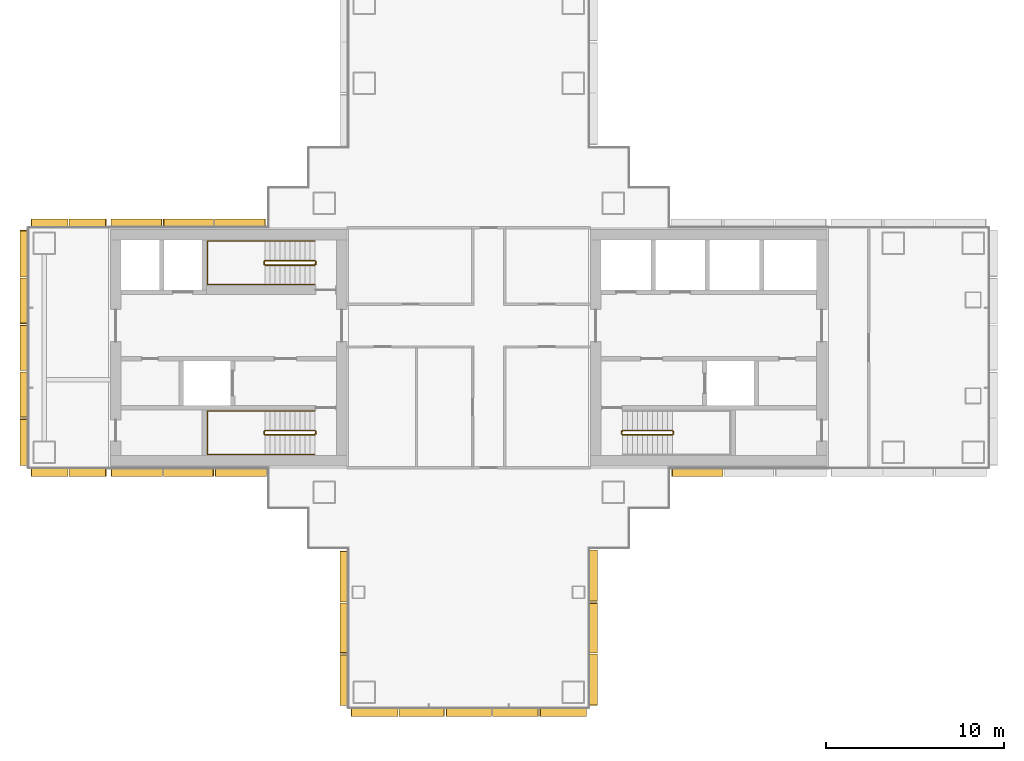
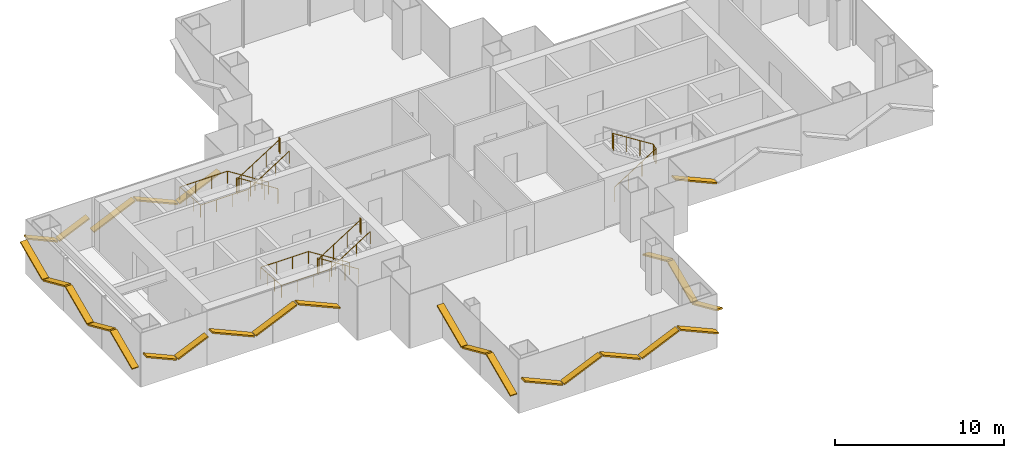
# One storey, part 16 of 18: 27 shading devices, 5 railings.
"""IFC4 building model written with IfcOpenShell, lengths in metres."""

from ifc_helpers import new_model, si_unit, direction, frame, origin, origin_2d, place, context, subcontext, project, spatial, rectangle, circle, extrude, material, material_profile, profile_set, type_object, element, save


model = new_model("IFC4")

# Units and contexts
model_context = context("Model", 3, precision=1e-05, world=origin(), true_north=direction((0.0, 1.0)))
body_context = subcontext(model_context, "Body", "Model", "MODEL_VIEW")
ifc_project = project(units=[si_unit("LENGTHUNIT", "METRE"), si_unit("AREAUNIT", "SQUARE_METRE"), si_unit("VOLUMEUNIT", "CUBIC_METRE"), si_unit("PLANEANGLEUNIT", "RADIAN"), si_unit("MASSUNIT", "GRAM", prefix="KILO")], contexts=[model_context])

# Site, building, storey
site_placement = place(None, origin())
site = spatial("IfcSite", under=ifc_project, at=site_placement, CompositionType="ELEMENT")
building_placement = place(site_placement, origin())
building = spatial("IfcBuilding", under=site, at=building_placement, Name="Shamsa Quay Exchange Towers", CompositionType="ELEMENT")
storey_placement = place(building_placement, frame((0.0, 0.0, 113.10009765625)))
storey = spatial("IfcBuildingStorey", under=building, at=storey_placement, Name="L26", CompositionType="ELEMENT", Elevation=113.10009765625)

# Shading devices
ifc_material_1 = material(Name="Aluminium EN AW-6063 T6, black anodised", Category="aluminium")
ifc_material_profile = material_profile(ifc_material_1, rectangle(XDim=0.449951171875, YDim=0.10009765625, at=origin_2d()), Name="FIN450x100")
ifc_profile_set = profile_set([ifc_material_profile], Name="Aluminium EN AW-6063 T6, black anodised")
shading_device_type = type_object("IfcShadingDeviceType", Name="FIN 450x100 BLACK ALUMINIUM", PredefinedType="USERDEFINED", material=ifc_profile_set)
shading_device_1_placement = place(storey_placement, frame((-40.764892578125, -11.43798828125, 2.2314453125), z_axis=(0.0, -0.913558535862, -0.406707267643), x_axis=(1.0, 0.0, 0.0)))
element("IfcShadingDevice", 1, at=shading_device_1_placement, inside=storey, type_object=shading_device_type, Name="FIN T1 chevron rib", ObjectType="FIN", PredefinedType="USERDEFINED", context=body_context, shape_type="SweptSolid", body=[
    extrude(rectangle(XDim=0.449951171875, YDim=0.10009765625, at=origin_2d()), origin(), (0.0, 0.0, 1.0), 3.10595703125),
])
shading_device_2_placement = place(storey_placement, frame((-40.764892578125, -14.375244140625, 0.9794921875), z_axis=(0.0, -0.913550687431, 0.406724896576), x_axis=(1.0, 0.0, 0.0)))
element("IfcShadingDevice", 2, at=shading_device_2_placement, inside=storey, type_object=shading_device_type, Name="FIN T1 chevron rib", ObjectType="FIN", PredefinedType="USERDEFINED", context=body_context, shape_type="SweptSolid", body=[
    extrude(rectangle(XDim=0.449951171875, YDim=0.10009765625, at=origin_2d()), origin(), (0.0, 0.0, 1.0), 3.051025390625),
])
shading_device_3_placement = place(storey_placement, frame((-40.764892578125, -17.2626953125, 2.2314453125), z_axis=(0.0, -0.913558535862, -0.406707267643), x_axis=(1.0, 0.0, 0.0)))
element("IfcShadingDevice", 3, at=shading_device_3_placement, inside=storey, type_object=shading_device_type, Name="FIN T1 chevron rib", ObjectType="FIN", PredefinedType="USERDEFINED", context=body_context, shape_type="SweptSolid", body=[
    extrude(rectangle(XDim=0.449951171875, YDim=0.10009765625, at=origin_2d()), origin(), (0.0, 0.0, 1.0), 3.10595703125),
])
shading_device_4_placement = place(storey_placement, frame((-40.35009765625, -20.514892578125, 2.176513671875), z_axis=(0.91355925163, 0.0, -0.406705659859), x_axis=(0.0, 1.0, 0.0)))
element("IfcShadingDevice", 4, at=shading_device_4_placement, inside=storey, type_object=shading_device_type, Name="FIN T1 chevron rib", ObjectType="FIN", PredefinedType="USERDEFINED", context=body_context, shape_type="SweptSolid", body=[
    extrude(rectangle(XDim=0.449951171875, YDim=0.10009765625, at=origin_2d()), origin(), (0.0, 0.0, 1.0), 2.835205078125),
])
shading_device_5_placement = place(storey_placement, frame((-37.659912109375, -20.514892578125, 1.034423828125), z_axis=(0.913536125794, 0.0, 0.406757602103), x_axis=(0.0, 1.0, 0.0)))
element("IfcShadingDevice", 5, at=shading_device_5_placement, inside=storey, type_object=shading_device_type, Name="FIN T1 chevron rib", ObjectType="FIN", PredefinedType="USERDEFINED", context=body_context, shape_type="SweptSolid", body=[
    extrude(rectangle(XDim=0.449951171875, YDim=0.10009765625, at=origin_2d()), origin(), (0.0, 0.0, 1.0), 2.7802734375),
])
shading_device_6_placement = place(storey_placement, frame((-35.02001953125, -20.514892578125, 2.165283203125), z_axis=(0.913550653139, 0.0, -0.4067249736), x_axis=(0.0, 1.0, 0.0)))
element("IfcShadingDevice", 6, at=shading_device_6_placement, inside=storey, type_object=shading_device_type, Name="FIN T1 chevron rib", ObjectType="FIN", PredefinedType="USERDEFINED", context=body_context, shape_type="SweptSolid", body=[
    extrude(rectangle(XDim=0.449951171875, YDim=0.10009765625, at=origin_2d()), origin(), (0.0, 0.0, 1.0), 2.780517578125),
])
shading_device_7_placement = place(storey_placement, frame((-32.3798828125, -20.514892578125, 1.034423828125), z_axis=(0.913536125794, 0.0, 0.406757602103), x_axis=(0.0, 1.0, 0.0)))
element("IfcShadingDevice", 7, at=shading_device_7_placement, inside=storey, type_object=shading_device_type, Name="FIN T1 chevron rib", ObjectType="FIN", PredefinedType="USERDEFINED", context=body_context, shape_type="SweptSolid", body=[
    extrude(rectangle(XDim=0.449951171875, YDim=0.10009765625, at=origin_2d()), origin(), (0.0, 0.0, 1.0), 2.7802734375),
])
shading_device_8_placement = place(storey_placement, frame((-29.739990234375, -20.514892578125, 2.176513671875), z_axis=(0.91355925163, 0.0, -0.406705659859), x_axis=(0.0, 1.0, 0.0)))
element("IfcShadingDevice", 8, at=shading_device_8_placement, inside=storey, type_object=shading_device_type, Name="FIN T1 chevron rib", ObjectType="FIN", PredefinedType="USERDEFINED", context=body_context, shape_type="SweptSolid", body=[
    extrude(rectangle(XDim=0.449951171875, YDim=0.10009765625, at=origin_2d()), origin(), (0.0, 0.0, 1.0), 2.835205078125),
])
shading_device_9_placement = place(storey_placement, frame((-26.735107421875, -20.10009765625, 2.234375), z_axis=(0.0, 0.913533816972, -0.406762787444), x_axis=(-1.0, 0.0, 0.0)))
element("IfcShadingDevice", 9, at=shading_device_9_placement, inside=storey, type_object=shading_device_type, Name="FIN T1 chevron rib", ObjectType="FIN", PredefinedType="USERDEFINED", context=body_context, shape_type="SweptSolid", body=[
    extrude(rectangle(XDim=0.449951171875, YDim=0.10009765625, at=origin_2d()), origin(), (0.0, 0.0, 1.0), 3.119873046875),
])
shading_device_10_placement = place(storey_placement, frame((-26.735107421875, -17.14990234375, 0.9765625), z_axis=(0.0, 0.913541981537, 0.406744450447), x_axis=(-1.0, 0.0, 0.0)))
element("IfcShadingDevice", 10, at=shading_device_10_placement, inside=storey, type_object=shading_device_type, Name="FIN T1 chevron rib", ObjectType="FIN", PredefinedType="USERDEFINED", context=body_context, shape_type="SweptSolid", body=[
    extrude(rectangle(XDim=0.449951171875, YDim=0.10009765625, at=origin_2d()), origin(), (0.0, 0.0, 1.0), 3.064697265625),
])
shading_device_11_placement = place(storey_placement, frame((-26.735107421875, -14.25, 2.234375), z_axis=(0.0, 0.913533816972, -0.406762787444), x_axis=(-1.0, 0.0, 0.0)))
element("IfcShadingDevice", 11, at=shading_device_11_placement, inside=storey, type_object=shading_device_type, Name="FIN T1 chevron rib", ObjectType="FIN", PredefinedType="USERDEFINED", context=body_context, shape_type="SweptSolid", body=[
    extrude(rectangle(XDim=0.449951171875, YDim=0.10009765625, at=origin_2d()), origin(), (0.0, 0.0, 1.0), 3.119873046875),
])
for number, where, z_axis, x_axis, name in (
    (12, (-22.31201171875, -7.01904296875, 2.2314453125), (0.913558535862, 0.0, -0.406707267643), (0.0, 1.0, 0.0), "FIN T1 chevron rib"),
    (13, (-45.18798828125, 7.01904296875, 2.2314453125), (-0.913558535862, 0.0, -0.406707267643), (0.0, -1.0, 0.0), "FIN T1 chevron rib"),
):
    element("IfcShadingDevice", number, at=place(storey_placement, frame(where, z_axis=z_axis, x_axis=x_axis)), inside=storey, type_object=shading_device_type, Name=name, ObjectType="FIN", PredefinedType="USERDEFINED", context=body_context, shape_type="SweptSolid", body=[
        extrude(rectangle(XDim=0.449951171875, YDim=0.10009765625, at=origin_2d()), origin(), (0.0, 0.0, 1.0), 3.10595703125),
    ])
shading_device_12_placement = place(storey_placement, frame((-48.125244140625, 7.01904296875, 0.9794921875), z_axis=(-0.913550687431, 0.0, 0.406724896576), x_axis=(0.0, -1.0, 0.0)))
element("IfcShadingDevice", 14, at=shading_device_12_placement, inside=storey, type_object=shading_device_type, Name="FIN T1 chevron rib", ObjectType="FIN", PredefinedType="USERDEFINED", context=body_context, shape_type="SweptSolid", body=[
    extrude(rectangle(XDim=0.449951171875, YDim=0.10009765625, at=origin_2d()), origin(), (0.0, 0.0, 1.0), 3.051025390625),
])
shading_device_13_placement = place(storey_placement, frame((-51.0126953125, 7.01904296875, 2.2314453125), z_axis=(-0.913558535862, 0.0, -0.406707267643), x_axis=(0.0, -1.0, 0.0)))
element("IfcShadingDevice", 15, at=shading_device_13_placement, inside=storey, type_object=shading_device_type, Name="FIN T1 chevron rib", ObjectType="FIN", PredefinedType="USERDEFINED", context=body_context, shape_type="SweptSolid", body=[
    extrude(rectangle(XDim=0.449951171875, YDim=0.10009765625, at=origin_2d()), origin(), (0.0, 0.0, 1.0), 3.10595703125),
])
for number, where, z_axis, x_axis, name in (
    (16, (-54.14990234375, 7.014892578125, 2.05615234375), (-0.913569116241, 0.0, -0.406683500835), (0.0, -1.0, 0.0), "FIN T1 chevron rib"),
    (17, (-56.300048828125, 7.014892578125, 1.1435546875), (-0.913569116241, 0.0, 0.406683500835), (0.0, -1.0, 0.0), "FIN T1 chevron rib"),
):
    element("IfcShadingDevice", number, at=place(storey_placement, frame(where, z_axis=z_axis, x_axis=x_axis)), inside=storey, type_object=shading_device_type, Name=name, ObjectType="FIN", PredefinedType="USERDEFINED", context=body_context, shape_type="SweptSolid", body=[
        extrude(rectangle(XDim=0.449951171875, YDim=0.10009765625, at=origin_2d()), origin(), (0.0, 0.0, 1.0), 2.243896484375),
    ])
shading_device_14_placement = place(storey_placement, frame((-58.764892578125, 6.60009765625, 2.176513671875), z_axis=(0.0, -0.91355925163, -0.406705659859), x_axis=(1.0, 0.0, 0.0)))
element("IfcShadingDevice", 18, at=shading_device_14_placement, inside=storey, type_object=shading_device_type, Name="FIN T1 chevron rib", ObjectType="FIN", PredefinedType="USERDEFINED", context=body_context, shape_type="SweptSolid", body=[
    extrude(rectangle(XDim=0.449951171875, YDim=0.10009765625, at=origin_2d()), origin(), (0.0, 0.0, 1.0), 2.835205078125),
])
shading_device_15_placement = place(storey_placement, frame((-58.764892578125, 3.909912109375, 1.034423828125), z_axis=(0.0, -0.913536125794, 0.406757602103), x_axis=(1.0, 0.0, 0.0)))
element("IfcShadingDevice", 19, at=shading_device_15_placement, inside=storey, type_object=shading_device_type, Name="FIN T1 chevron rib", ObjectType="FIN", PredefinedType="USERDEFINED", context=body_context, shape_type="SweptSolid", body=[
    extrude(rectangle(XDim=0.449951171875, YDim=0.10009765625, at=origin_2d()), origin(), (0.0, 0.0, 1.0), 2.7802734375),
])
shading_device_16_placement = place(storey_placement, frame((-58.764892578125, 1.27001953125, 2.165283203125), z_axis=(0.0, -0.913550653139, -0.4067249736), x_axis=(1.0, 0.0, 0.0)))
element("IfcShadingDevice", 20, at=shading_device_16_placement, inside=storey, type_object=shading_device_type, Name="FIN T1 chevron rib", ObjectType="FIN", PredefinedType="USERDEFINED", context=body_context, shape_type="SweptSolid", body=[
    extrude(rectangle(XDim=0.449951171875, YDim=0.10009765625, at=origin_2d()), origin(), (0.0, 0.0, 1.0), 2.780517578125),
])
shading_device_17_placement = place(storey_placement, frame((-58.764892578125, -1.3701171875, 1.034423828125), z_axis=(0.0, -0.913536125794, 0.406757602103), x_axis=(1.0, 0.0, 0.0)))
element("IfcShadingDevice", 21, at=shading_device_17_placement, inside=storey, type_object=shading_device_type, Name="FIN T1 chevron rib", ObjectType="FIN", PredefinedType="USERDEFINED", context=body_context, shape_type="SweptSolid", body=[
    extrude(rectangle(XDim=0.449951171875, YDim=0.10009765625, at=origin_2d()), origin(), (0.0, 0.0, 1.0), 2.7802734375),
])
shading_device_18_placement = place(storey_placement, frame((-58.764892578125, -4.010009765625, 2.176513671875), z_axis=(0.0, -0.91355925163, -0.406705659859), x_axis=(1.0, 0.0, 0.0)))
element("IfcShadingDevice", 22, at=shading_device_18_placement, inside=storey, type_object=shading_device_type, Name="FIN T1 chevron rib", ObjectType="FIN", PredefinedType="USERDEFINED", context=body_context, shape_type="SweptSolid", body=[
    extrude(rectangle(XDim=0.449951171875, YDim=0.10009765625, at=origin_2d()), origin(), (0.0, 0.0, 1.0), 2.835205078125),
])
for number, where, z_axis, x_axis, name in (
    (23, (-58.35009765625, -7.014892578125, 2.05615234375), (0.913569116241, 0.0, -0.406683500835), (0.0, 1.0, 0.0), "FIN T1 chevron rib"),
    (24, (-56.199951171875, -7.014892578125, 1.1435546875), (0.913569116241, 0.0, 0.406683500835), (0.0, 1.0, 0.0), "FIN T1 chevron rib"),
):
    element("IfcShadingDevice", number, at=place(storey_placement, frame(where, z_axis=z_axis, x_axis=x_axis)), inside=storey, type_object=shading_device_type, Name=name, ObjectType="FIN", PredefinedType="USERDEFINED", context=body_context, shape_type="SweptSolid", body=[
        extrude(rectangle(XDim=0.449951171875, YDim=0.10009765625, at=origin_2d()), origin(), (0.0, 0.0, 1.0), 2.243896484375),
    ])
shading_device_19_placement = place(storey_placement, frame((-53.85009765625, -7.01904296875, 2.234375), z_axis=(0.913533816972, 0.0, -0.406762787444), x_axis=(0.0, 1.0, 0.0)))
element("IfcShadingDevice", 25, at=shading_device_19_placement, inside=storey, type_object=shading_device_type, Name="FIN T1 chevron rib", ObjectType="FIN", PredefinedType="USERDEFINED", context=body_context, shape_type="SweptSolid", body=[
    extrude(rectangle(XDim=0.449951171875, YDim=0.10009765625, at=origin_2d()), origin(), (0.0, 0.0, 1.0), 3.119873046875),
])
shading_device_20_placement = place(storey_placement, frame((-50.89990234375, -7.01904296875, 0.9765625), z_axis=(0.913541981537, 0.0, 0.406744450447), x_axis=(0.0, 1.0, 0.0)))
element("IfcShadingDevice", 26, at=shading_device_20_placement, inside=storey, type_object=shading_device_type, Name="FIN T1 chevron rib", ObjectType="FIN", PredefinedType="USERDEFINED", context=body_context, shape_type="SweptSolid", body=[
    extrude(rectangle(XDim=0.449951171875, YDim=0.10009765625, at=origin_2d()), origin(), (0.0, 0.0, 1.0), 3.064697265625),
])
shading_device_21_placement = place(storey_placement, frame((-48.0, -7.01904296875, 2.234375), z_axis=(0.913533816972, 0.0, -0.406762787444), x_axis=(0.0, 1.0, 0.0)))
element("IfcShadingDevice", 27, at=shading_device_21_placement, inside=storey, type_object=shading_device_type, Name="FIN T1 chevron rib", ObjectType="FIN", PredefinedType="USERDEFINED", context=body_context, shape_type="SweptSolid", body=[
    extrude(rectangle(XDim=0.449951171875, YDim=0.10009765625, at=origin_2d()), origin(), (0.0, 0.0, 1.0), 3.119873046875),
])

# Railings
ifc_material_2 = material(Name="Stainless steel", Category="steel")
railing_type_1 = type_object("IfcRailingType", Name="STAIR GUARD 1100", PredefinedType="GUARDRAIL", material=ifc_material_2)
railing_1_placement = place(storey_placement, frame((-25.10009765625, -4.89990234375, 0.17724609375)))
element("IfcRailing", 28, at=railing_1_placement, inside=storey, type_object=railing_type_1, Name="L26 ST1 stair guard 1", PredefinedType="GUARDRAIL", context=body_context, shape_type="SweptSolid", body=[
    extrude(circle(Radius=0.02392578125, at=origin_2d()), frame((0.0, 0.0, 1.076171875), z_axis=(0.844908973607, 0.0, 0.534910110503), x_axis=(0.0, 1.0, 0.0)), (0.0, 0.0, 1.0), 3.31396484375),
    extrude(circle(Radius=0.02392578125, at=origin_2d()), frame((2.800048828125, 0.0, 2.8486328125), z_axis=(0.708833529934, 0.705375805398, 0.0), x_axis=(-0.705375805398, 0.708833529934, 0.0)), (0.0, 0.0, 1.0), 0.070556640625),
    extrude(circle(Radius=0.02392578125, at=origin_2d()), frame((2.85009765625, 0.0498046875, 2.8486328125), z_axis=(0.0, 1.0, 0.0), x_axis=(-1.0, 0.0, 0.0)), (0.0, 0.0, 1.0), 0.150146484375),
    extrude(circle(Radius=0.02392578125, at=origin_2d()), frame((2.85009765625, 0.199951171875, 2.8486328125), z_axis=(-0.262233686654, 0.262233686654, 0.928691007369), x_axis=(-0.707106781187, -0.707106781187, 0.0)), (0.0, 0.0, 1.0), 0.19091796875),
    extrude(circle(Radius=0.02392578125, at=origin_2d()), frame((2.800048828125, 0.25, 3.02587890625), z_axis=(-0.844908973607, 0.0, 0.534910110503), x_axis=(0.0, -1.0, 0.0)), (0.0, 0.0, 1.0), 3.31396484375),
    extrude(circle(Radius=0.02392578125, at=origin_2d()), frame((0.0, 0.25, 4.798828125), z_axis=(-0.24142163986, -0.970420317083, 0.0), x_axis=(0.970420317083, -0.24142163986, 0.0)), (0.0, 0.0, 1.0), 0.206298828125),
    extrude(circle(Radius=0.02392578125, at=origin_2d()), frame((-0.0498046875, 0.0498046875, 4.798828125), z_axis=(0.0, 1.0, 0.0), x_axis=(-1.0, 0.0, 0.0)), (0.0, 0.0, 1.0), 0.150146484375),
    extrude(circle(Radius=0.02099609375, at=origin_2d()), origin(), (0.0, 0.0, 1.0), 1.052001953125),
    extrude(circle(Radius=0.02099609375, at=origin_2d()), frame((0.933349609375, 0.0, 0.5908203125)), (0.0, 0.0, 1.0), 1.052001953125),
    extrude(circle(Radius=0.02099609375, at=origin_2d()), frame((1.86669921875, 0.0, 1.181884765625)), (0.0, 0.0, 1.0), 1.052001953125),
    extrude(circle(Radius=0.02099609375, at=origin_2d()), frame((2.800048828125, 0.0, 1.772705078125)), (0.0, 0.0, 1.0), 1.052001953125),
    extrude(circle(Radius=0.02099609375, at=origin_2d()), frame((2.85009765625, 0.0498046875, 1.772705078125)), (0.0, 0.0, 1.0), 1.052001953125),
    extrude(circle(Radius=0.02099609375, at=origin_2d()), frame((2.85009765625, 0.199951171875, 1.772705078125)), (0.0, 0.0, 1.0), 1.052001953125),
    extrude(circle(Radius=0.02099609375, at=origin_2d()), frame((2.800048828125, 0.25, 1.949951171875)), (0.0, 0.0, 1.0), 1.052001953125),
    extrude(circle(Radius=0.02099609375, at=origin_2d()), frame((1.86669921875, 0.25, 2.540771484375)), (0.0, 0.0, 1.0), 1.052001953125),
    extrude(circle(Radius=0.02099609375, at=origin_2d()), frame((0.933349609375, 0.25, 3.1318359375)), (0.0, 0.0, 1.0), 1.052001953125),
    extrude(circle(Radius=0.02099609375, at=origin_2d()), frame((0.0, 0.25, 3.72265625)), (0.0, 0.0, 1.0), 1.052001953125),
    extrude(circle(Radius=0.02099609375, at=origin_2d()), frame((-0.0498046875, 0.0498046875, 3.72265625)), (0.0, 0.0, 1.0), 1.052001953125),
    extrude(circle(Radius=0.02099609375, at=origin_2d()), frame((-0.0498046875, 0.199951171875, 3.72265625)), (0.0, 0.0, 1.0), 1.052001953125),
])
railing_2_placement = place(storey_placement, frame((-42.39990234375, -4.64990234375, 0.17724609375)))
element("IfcRailing", 29, at=railing_2_placement, inside=storey, type_object=railing_type_1, Name="L26 ST2 stair guard 1", PredefinedType="GUARDRAIL", context=body_context, shape_type="SweptSolid", body=[
    extrude(circle(Radius=0.02392578125, at=origin_2d()), frame((0.0, 0.0, 1.076171875), z_axis=(-0.844908973607, 0.0, 0.534910110503), x_axis=(0.0, -1.0, 0.0)), (0.0, 0.0, 1.0), 3.31396484375),
    extrude(circle(Radius=0.02392578125, at=origin_2d()), frame((-2.800048828125, 0.0, 2.8486328125), z_axis=(-0.707106781187, -0.707106781187, 0.0), x_axis=(0.707106781187, -0.707106781187, 0.0)), (0.0, 0.0, 1.0), 0.07080078125),
    extrude(circle(Radius=0.02392578125, at=origin_2d()), frame((-2.85009765625, -0.050048828125, 2.8486328125), z_axis=(0.0, -1.0, 0.0), x_axis=(1.0, 0.0, 0.0)), (0.0, 0.0, 1.0), 0.150146484375),
    extrude(circle(Radius=0.02392578125, at=origin_2d()), frame((-2.85009765625, -0.2001953125, 2.8486328125), z_axis=(0.262321481514, -0.261041864531, 0.929001929653), x_axis=(0.705375805398, 0.708833529934, 0.0)), (0.0, 0.0, 1.0), 0.190673828125),
    extrude(circle(Radius=0.02392578125, at=origin_2d()), frame((-2.800048828125, -0.25, 3.02587890625), z_axis=(0.844908973607, 0.0, 0.534910110503), x_axis=(0.0, 1.0, 0.0)), (0.0, 0.0, 1.0), 3.31396484375),
    extrude(circle(Radius=0.02392578125, at=origin_2d()), frame((0.0, -0.25, 4.798828125), z_axis=(0.241699205484, 0.970351222016, 0.0), x_axis=(-0.970351222016, 0.241699205484, 0.0)), (0.0, 0.0, 1.0), 0.2060546875),
    extrude(circle(Radius=0.02392578125, at=origin_2d()), frame((0.0498046875, -0.050048828125, 4.798828125), z_axis=(0.0, -1.0, 0.0), x_axis=(1.0, 0.0, 0.0)), (0.0, 0.0, 1.0), 0.150146484375),
    extrude(circle(Radius=0.02099609375, at=origin_2d()), origin(), (0.0, 0.0, 1.0), 1.052001953125),
    extrude(circle(Radius=0.02099609375, at=origin_2d()), frame((-0.933349609375, 0.0, 0.5908203125)), (0.0, 0.0, 1.0), 1.052001953125),
    extrude(circle(Radius=0.02099609375, at=origin_2d()), frame((-1.86669921875, 0.0, 1.181884765625)), (0.0, 0.0, 1.0), 1.052001953125),
    extrude(circle(Radius=0.02099609375, at=origin_2d()), frame((-2.800048828125, 0.0, 1.772705078125)), (0.0, 0.0, 1.0), 1.052001953125),
    extrude(circle(Radius=0.02099609375, at=origin_2d()), frame((-2.85009765625, -0.050048828125, 1.772705078125)), (0.0, 0.0, 1.0), 1.052001953125),
    extrude(circle(Radius=0.02099609375, at=origin_2d()), frame((-2.85009765625, -0.2001953125, 1.772705078125)), (0.0, 0.0, 1.0), 1.052001953125),
    extrude(circle(Radius=0.02099609375, at=origin_2d()), frame((-2.800048828125, -0.25, 1.949951171875)), (0.0, 0.0, 1.0), 1.052001953125),
    extrude(circle(Radius=0.02099609375, at=origin_2d()), frame((-1.86669921875, -0.25, 2.540771484375)), (0.0, 0.0, 1.0), 1.052001953125),
    extrude(circle(Radius=0.02099609375, at=origin_2d()), frame((-0.933349609375, -0.25, 3.1318359375)), (0.0, 0.0, 1.0), 1.052001953125),
    extrude(circle(Radius=0.02099609375, at=origin_2d()), frame((0.0, -0.25, 3.72265625)), (0.0, 0.0, 1.0), 1.052001953125),
    extrude(circle(Radius=0.02099609375, at=origin_2d()), frame((0.0498046875, -0.050048828125, 3.72265625)), (0.0, 0.0, 1.0), 1.052001953125),
    extrude(circle(Radius=0.02099609375, at=origin_2d()), frame((0.0498046875, -0.2001953125, 3.72265625)), (0.0, 0.0, 1.0), 1.052001953125),
])
railing_3_placement = place(storey_placement, frame((-42.39990234375, 4.89990234375, 0.17724609375)))
element("IfcRailing", 30, at=railing_3_placement, inside=storey, type_object=railing_type_1, Name="L26 ST3 stair guard 1", PredefinedType="GUARDRAIL", context=body_context, shape_type="SweptSolid", body=[
    extrude(circle(Radius=0.02392578125, at=origin_2d()), frame((0.0, 0.0, 1.076171875), z_axis=(-0.844908973607, 0.0, 0.534910110503), x_axis=(0.0, -1.0, 0.0)), (0.0, 0.0, 1.0), 3.31396484375),
    extrude(circle(Radius=0.02392578125, at=origin_2d()), frame((-2.800048828125, 0.0, 2.8486328125), z_axis=(-0.708833529934, -0.705375805398, 0.0), x_axis=(0.705375805398, -0.708833529934, 0.0)), (0.0, 0.0, 1.0), 0.070556640625),
    extrude(circle(Radius=0.02392578125, at=origin_2d()), frame((-2.85009765625, -0.0498046875, 2.8486328125), z_axis=(0.0, -1.0, 0.0), x_axis=(1.0, 0.0, 0.0)), (0.0, 0.0, 1.0), 0.150146484375),
    extrude(circle(Radius=0.02392578125, at=origin_2d()), frame((-2.85009765625, -0.199951171875, 2.8486328125), z_axis=(0.262233686654, -0.262233686654, 0.928691007369), x_axis=(0.707106781187, 0.707106781187, 0.0)), (0.0, 0.0, 1.0), 0.19091796875),
    extrude(circle(Radius=0.02392578125, at=origin_2d()), frame((-2.800048828125, -0.25, 3.02587890625), z_axis=(0.844908973607, 0.0, 0.534910110503), x_axis=(0.0, 1.0, 0.0)), (0.0, 0.0, 1.0), 3.31396484375),
    extrude(circle(Radius=0.02392578125, at=origin_2d()), frame((0.0, -0.25, 4.798828125), z_axis=(0.24142163986, 0.970420317083, 0.0), x_axis=(-0.970420317083, 0.24142163986, 0.0)), (0.0, 0.0, 1.0), 0.206298828125),
    extrude(circle(Radius=0.02392578125, at=origin_2d()), frame((0.0498046875, -0.0498046875, 4.798828125), z_axis=(0.0, -1.0, 0.0), x_axis=(1.0, 0.0, 0.0)), (0.0, 0.0, 1.0), 0.150146484375),
    extrude(circle(Radius=0.02099609375, at=origin_2d()), origin(), (0.0, 0.0, 1.0), 1.052001953125),
    extrude(circle(Radius=0.02099609375, at=origin_2d()), frame((-0.933349609375, 0.0, 0.5908203125)), (0.0, 0.0, 1.0), 1.052001953125),
    extrude(circle(Radius=0.02099609375, at=origin_2d()), frame((-1.86669921875, 0.0, 1.181884765625)), (0.0, 0.0, 1.0), 1.052001953125),
    extrude(circle(Radius=0.02099609375, at=origin_2d()), frame((-2.800048828125, 0.0, 1.772705078125)), (0.0, 0.0, 1.0), 1.052001953125),
    extrude(circle(Radius=0.02099609375, at=origin_2d()), frame((-2.85009765625, -0.0498046875, 1.772705078125)), (0.0, 0.0, 1.0), 1.052001953125),
    extrude(circle(Radius=0.02099609375, at=origin_2d()), frame((-2.85009765625, -0.199951171875, 1.772705078125)), (0.0, 0.0, 1.0), 1.052001953125),
    extrude(circle(Radius=0.02099609375, at=origin_2d()), frame((-2.800048828125, -0.25, 1.949951171875)), (0.0, 0.0, 1.0), 1.052001953125),
    extrude(circle(Radius=0.02099609375, at=origin_2d()), frame((-1.86669921875, -0.25, 2.540771484375)), (0.0, 0.0, 1.0), 1.052001953125),
    extrude(circle(Radius=0.02099609375, at=origin_2d()), frame((-0.933349609375, -0.25, 3.1318359375)), (0.0, 0.0, 1.0), 1.052001953125),
    extrude(circle(Radius=0.02099609375, at=origin_2d()), frame((0.0, -0.25, 3.72265625)), (0.0, 0.0, 1.0), 1.052001953125),
    extrude(circle(Radius=0.02099609375, at=origin_2d()), frame((0.0498046875, -0.0498046875, 3.72265625)), (0.0, 0.0, 1.0), 1.052001953125),
    extrude(circle(Radius=0.02099609375, at=origin_2d()), frame((0.0498046875, -0.199951171875, 3.72265625)), (0.0, 0.0, 1.0), 1.052001953125),
])
railing_type_2 = type_object("IfcRailingType", Name="STAIR HANDRAIL 900", PredefinedType="HANDRAIL", material=ifc_material_2)
railing_4_placement = place(storey_placement, frame((-42.39990234375, -3.550048828125, 0.17724609375)))
element("IfcRailing", 31, at=railing_4_placement, inside=storey, type_object=railing_type_2, Name="L26 ST2 stair handrail 1", PredefinedType="HANDRAIL", context=body_context, shape_type="SweptSolid", body=[
    extrude(circle(Radius=0.02392578125, at=origin_2d()), frame((0.0, 0.0, 0.8759765625), z_axis=(-0.844908973607, 0.0, 0.534910110503), x_axis=(0.0, -1.0, 0.0)), (0.0, 0.0, 1.0), 3.31396484375),
    extrude(circle(Radius=0.02392578125, at=origin_2d()), frame((-2.800048828125, 0.0, 2.6484375), z_axis=(-1.0, 0.0, 0.0), x_axis=(0.0, -1.0, 0.0)), (0.0, 0.0, 1.0), 3.25),
    extrude(circle(Radius=0.02392578125, at=origin_2d()), frame((-6.050048828125, 0.0, 2.6484375), z_axis=(0.0, -0.997393199914, 0.07215819264), x_axis=(1.0, 0.0, 0.0)), (0.0, 0.0, 1.0), 2.456298828125),
    extrude(circle(Radius=0.02392578125, at=origin_2d()), frame((-6.050048828125, -2.449951171875, 2.82568359375), z_axis=(1.0, 0.0, 0.0), x_axis=(0.0, 1.0, 0.0)), (0.0, 0.0, 1.0), 3.25),
    extrude(circle(Radius=0.02392578125, at=origin_2d()), frame((-2.800048828125, -2.449951171875, 2.82568359375), z_axis=(0.844908973607, 0.0, 0.534910110503), x_axis=(0.0, 1.0, 0.0)), (0.0, 0.0, 1.0), 3.31396484375),
    extrude(circle(Radius=0.02099609375, at=origin_2d()), origin(), (0.0, 0.0, 1.0), 0.851806640625),
    extrude(circle(Radius=0.02099609375, at=origin_2d()), frame((-0.933349609375, 0.0, 0.5908203125)), (0.0, 0.0, 1.0), 0.851806640625),
    extrude(circle(Radius=0.02099609375, at=origin_2d()), frame((-1.86669921875, 0.0, 1.181884765625)), (0.0, 0.0, 1.0), 0.851806640625),
    extrude(circle(Radius=0.02099609375, at=origin_2d()), frame((-2.800048828125, 0.0, 1.772705078125)), (0.0, 0.0, 1.0), 0.851806640625),
    extrude(circle(Radius=0.02099609375, at=origin_2d()), frame((-3.88330078125, 0.0, 1.772705078125)), (0.0, 0.0, 1.0), 0.851806640625),
    extrude(circle(Radius=0.02099609375, at=origin_2d()), frame((-4.966796875, 0.0, 1.772705078125)), (0.0, 0.0, 1.0), 0.851806640625),
    extrude(circle(Radius=0.02099609375, at=origin_2d()), frame((-6.050048828125, 0.0, 1.772705078125)), (0.0, 0.0, 1.0), 0.851806640625),
    extrude(circle(Radius=0.02099609375, at=origin_2d()), frame((-6.050048828125, -0.816650390625, 1.831787109375)), (0.0, 0.0, 1.0), 0.851806640625),
    extrude(circle(Radius=0.02099609375, at=origin_2d()), frame((-6.050048828125, -1.63330078125, 1.890869140625)), (0.0, 0.0, 1.0), 0.851806640625),
    extrude(circle(Radius=0.02099609375, at=origin_2d()), frame((-6.050048828125, -2.449951171875, 1.949951171875)), (0.0, 0.0, 1.0), 0.851806640625),
    extrude(circle(Radius=0.02099609375, at=origin_2d()), frame((-4.966796875, -2.449951171875, 1.949951171875)), (0.0, 0.0, 1.0), 0.851806640625),
    extrude(circle(Radius=0.02099609375, at=origin_2d()), frame((-3.88330078125, -2.449951171875, 1.949951171875)), (0.0, 0.0, 1.0), 0.851806640625),
    extrude(circle(Radius=0.02099609375, at=origin_2d()), frame((-2.800048828125, -2.449951171875, 1.949951171875)), (0.0, 0.0, 1.0), 0.851806640625),
    extrude(circle(Radius=0.02099609375, at=origin_2d()), frame((-1.86669921875, -2.449951171875, 2.540771484375)), (0.0, 0.0, 1.0), 0.851806640625),
    extrude(circle(Radius=0.02099609375, at=origin_2d()), frame((-0.933349609375, -2.449951171875, 3.1318359375)), (0.0, 0.0, 1.0), 0.851806640625),
    extrude(circle(Radius=0.02099609375, at=origin_2d()), frame((0.0, -2.449951171875, 3.72265625)), (0.0, 0.0, 1.0), 0.851806640625),
])
railing_5_placement = place(storey_placement, frame((-42.39990234375, 6.0, 0.17724609375)))
element("IfcRailing", 32, at=railing_5_placement, inside=storey, type_object=railing_type_2, Name="L26 ST3 stair handrail 1", PredefinedType="HANDRAIL", context=body_context, shape_type="SweptSolid", body=[
    extrude(circle(Radius=0.02392578125, at=origin_2d()), frame((0.0, 0.0, 0.8759765625), z_axis=(-0.844908973607, 0.0, 0.534910110503), x_axis=(0.0, -1.0, 0.0)), (0.0, 0.0, 1.0), 3.31396484375),
    extrude(circle(Radius=0.02392578125, at=origin_2d()), frame((-2.800048828125, 0.0, 2.6484375), z_axis=(-1.0, 0.0, 0.0), x_axis=(0.0, -1.0, 0.0)), (0.0, 0.0, 1.0), 3.25),
    extrude(circle(Radius=0.02392578125, at=origin_2d()), frame((-6.050048828125, 0.0, 2.6484375), z_axis=(0.0, -0.997393199914, 0.07215819264), x_axis=(1.0, 0.0, 0.0)), (0.0, 0.0, 1.0), 2.456298828125),
    extrude(circle(Radius=0.02392578125, at=origin_2d()), frame((-6.050048828125, -2.449951171875, 2.82568359375), z_axis=(1.0, 0.0, 0.0), x_axis=(0.0, 1.0, 0.0)), (0.0, 0.0, 1.0), 3.25),
    extrude(circle(Radius=0.02392578125, at=origin_2d()), frame((-2.800048828125, -2.449951171875, 2.82568359375), z_axis=(0.844908973607, 0.0, 0.534910110503), x_axis=(0.0, 1.0, 0.0)), (0.0, 0.0, 1.0), 3.31396484375),
    extrude(circle(Radius=0.02099609375, at=origin_2d()), origin(), (0.0, 0.0, 1.0), 0.851806640625),
    extrude(circle(Radius=0.02099609375, at=origin_2d()), frame((-0.933349609375, 0.0, 0.5908203125)), (0.0, 0.0, 1.0), 0.851806640625),
    extrude(circle(Radius=0.02099609375, at=origin_2d()), frame((-1.86669921875, 0.0, 1.181884765625)), (0.0, 0.0, 1.0), 0.851806640625),
    extrude(circle(Radius=0.02099609375, at=origin_2d()), frame((-2.800048828125, 0.0, 1.772705078125)), (0.0, 0.0, 1.0), 0.851806640625),
    extrude(circle(Radius=0.02099609375, at=origin_2d()), frame((-3.88330078125, 0.0, 1.772705078125)), (0.0, 0.0, 1.0), 0.851806640625),
    extrude(circle(Radius=0.02099609375, at=origin_2d()), frame((-4.966796875, 0.0, 1.772705078125)), (0.0, 0.0, 1.0), 0.851806640625),
    extrude(circle(Radius=0.02099609375, at=origin_2d()), frame((-6.050048828125, 0.0, 1.772705078125)), (0.0, 0.0, 1.0), 0.851806640625),
    extrude(circle(Radius=0.02099609375, at=origin_2d()), frame((-6.050048828125, -0.816650390625, 1.831787109375)), (0.0, 0.0, 1.0), 0.851806640625),
    extrude(circle(Radius=0.02099609375, at=origin_2d()), frame((-6.050048828125, -1.63330078125, 1.890869140625)), (0.0, 0.0, 1.0), 0.851806640625),
    extrude(circle(Radius=0.02099609375, at=origin_2d()), frame((-6.050048828125, -2.449951171875, 1.949951171875)), (0.0, 0.0, 1.0), 0.851806640625),
    extrude(circle(Radius=0.02099609375, at=origin_2d()), frame((-4.966796875, -2.449951171875, 1.949951171875)), (0.0, 0.0, 1.0), 0.851806640625),
    extrude(circle(Radius=0.02099609375, at=origin_2d()), frame((-3.88330078125, -2.449951171875, 1.949951171875)), (0.0, 0.0, 1.0), 0.851806640625),
    extrude(circle(Radius=0.02099609375, at=origin_2d()), frame((-2.800048828125, -2.449951171875, 1.949951171875)), (0.0, 0.0, 1.0), 0.851806640625),
    extrude(circle(Radius=0.02099609375, at=origin_2d()), frame((-1.86669921875, -2.449951171875, 2.540771484375)), (0.0, 0.0, 1.0), 0.851806640625),
    extrude(circle(Radius=0.02099609375, at=origin_2d()), frame((-0.933349609375, -2.449951171875, 3.1318359375)), (0.0, 0.0, 1.0), 0.851806640625),
    extrude(circle(Radius=0.02099609375, at=origin_2d()), frame((0.0, -2.449951171875, 3.72265625)), (0.0, 0.0, 1.0), 0.851806640625),
])

save(model, "model.ifc")
